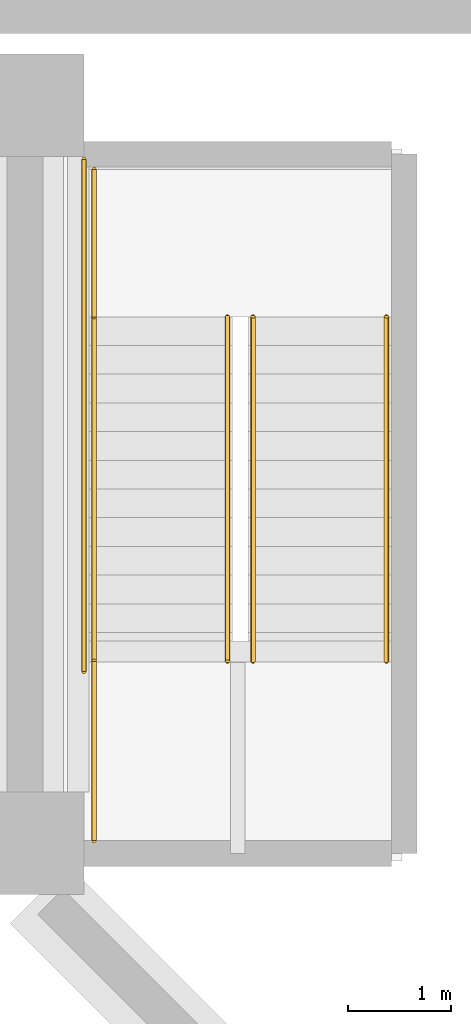
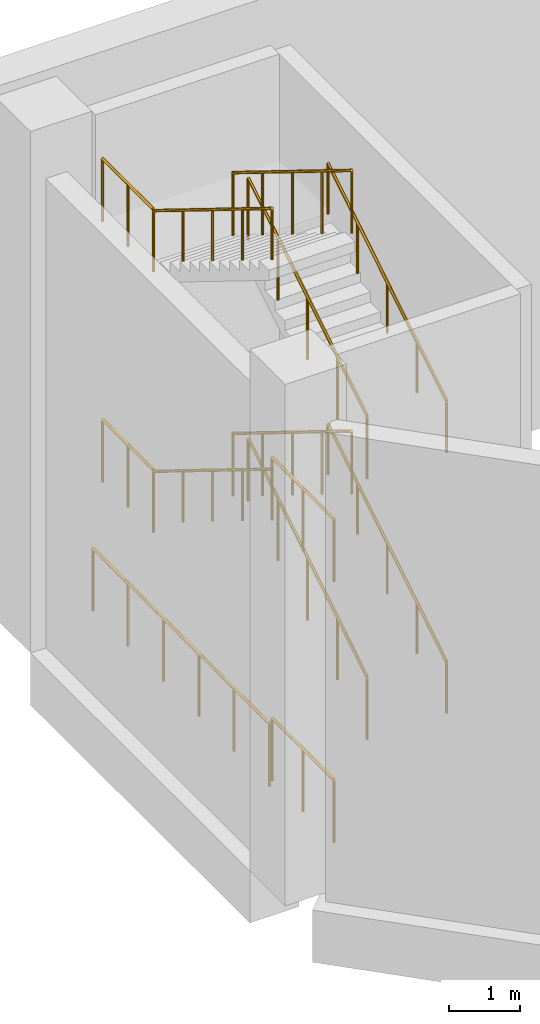
# One storey, part 19 of 23: 13 railings.
"""IFC4 building model written with IfcOpenShell, lengths in metres."""

from ifc_helpers import new_model, si_unit, direction, frame, origin, origin_2d, place, context, subcontext, project, spatial, circle, extrude, material, type_object, element, save


model = new_model("IFC4")

# Units and contexts
model_context = context("Model", 3, precision=1e-05, world=origin(), true_north=direction((0.0, 1.0)))
body_context = subcontext(model_context, "Body", "Model", "MODEL_VIEW")
ifc_project = project(units=[si_unit("LENGTHUNIT", "METRE"), si_unit("AREAUNIT", "SQUARE_METRE"), si_unit("VOLUMEUNIT", "CUBIC_METRE"), si_unit("PLANEANGLEUNIT", "RADIAN"), si_unit("MASSUNIT", "GRAM", prefix="KILO")], contexts=[model_context])

# Site, building, storey
site_placement = place(None, origin())
site = spatial("IfcSite", under=ifc_project, at=site_placement, CompositionType="ELEMENT")
building_placement = place(site_placement, origin())
building = spatial("IfcBuilding", under=site, at=building_placement, Name="Isthmus Gate Tower", CompositionType="ELEMENT")
storey_placement = place(building_placement, frame((0.0, 0.0, 9.0)))
storey = spatial("IfcBuildingStorey", under=building, at=storey_placement, Name="L01", CompositionType="ELEMENT", Elevation=9.0)

# Railings
ifc_material_1 = material(Name="Painted steel balusters with timber handrail", Category="steel")
railing_type_1 = type_object("IfcRailingType", Name="Podium stair guard 1100", PredefinedType="GUARDRAIL", material=ifc_material_1)
railing_1_placement = place(storey_placement, frame((-49.35009765625, -32.72509765625, 0.173095703125)))
element("IfcRailing", 1, at=railing_1_placement, inside=storey, type_object=railing_type_1, Name="L01 ST3 stair guard 1", PredefinedType="GUARDRAIL", context=body_context, shape_type="SweptSolid", body=[
    extrude(circle(Radius=0.02392578125, at=origin_2d()), frame((0.0, 0.0, 1.076171875), z_axis=(0.0, 0.850623216509, 0.525775754039), x_axis=(-1.0, 0.0, 0.0)), (0.0, 0.0, 1.0), 3.9501953125),
    extrude(circle(Radius=0.02099609375, at=origin_2d()), origin(), (0.0, 0.0, 1.0), 1.052001953125),
    extrude(circle(Radius=0.02099609375, at=origin_2d()), frame((0.0, 0.840087890625, 0.519287109375)), (0.0, 0.0, 1.0), 1.052001953125),
    extrude(circle(Radius=0.02099609375, at=origin_2d()), frame((0.0, 1.68017578125, 1.03857421875)), (0.0, 0.0, 1.0), 1.052001953125),
    extrude(circle(Radius=0.02099609375, at=origin_2d()), frame((0.0, 2.52001953125, 1.5576171875)), (0.0, 0.0, 1.0), 1.052001953125),
    extrude(circle(Radius=0.02099609375, at=origin_2d()), frame((0.0, 3.360107421875, 2.076904296875)), (0.0, 0.0, 1.0), 1.052001953125),
])
railing_2_placement = place(storey_placement, frame((-50.89990234375, -29.364990234375, 2.25)))
element("IfcRailing", 2, at=railing_2_placement, inside=storey, type_object=railing_type_1, Name="L01 ST3 stair guard 2", PredefinedType="GUARDRAIL", context=body_context, shape_type="SweptSolid", body=[
    extrude(circle(Radius=0.02392578125, at=origin_2d()), frame((0.0, 0.0, 1.076171875), z_axis=(0.0, 1.0, 0.0), x_axis=(-1.0, 0.0, 0.0)), (0.0, 0.0, 1.0), 1.43603515625),
    extrude(circle(Radius=0.02099609375, at=origin_2d()), origin(), (0.0, 0.0, 1.0), 1.052001953125),
    extrude(circle(Radius=0.02099609375, at=origin_2d()), frame((0.0, 0.718017578125, 0.0)), (0.0, 0.0, 1.0), 1.052001953125),
    extrude(circle(Radius=0.02099609375, at=origin_2d()), frame((0.0, 1.43603515625, 0.0)), (0.0, 0.0, 1.0), 1.052001953125),
])
railing_3_placement = place(storey_placement, frame((-49.60009765625, -29.364990234375, 2.423095703125)))
element("IfcRailing", 3, at=railing_3_placement, inside=storey, type_object=railing_type_1, Name="L01 ST3 stair guard 3", PredefinedType="GUARDRAIL", context=body_context, shape_type="SweptSolid", body=[
    extrude(circle(Radius=0.02392578125, at=origin_2d()), frame((0.0, 0.0, 1.076171875), z_axis=(0.0, -0.850623216509, 0.525775754039), x_axis=(1.0, 0.0, 0.0)), (0.0, 0.0, 1.0), 3.9501953125),
    extrude(circle(Radius=0.02099609375, at=origin_2d()), origin(), (0.0, 0.0, 1.0), 1.052001953125),
    extrude(circle(Radius=0.02099609375, at=origin_2d()), frame((0.0, -0.840087890625, 0.519287109375)), (0.0, 0.0, 1.0), 1.052001953125),
    extrude(circle(Radius=0.02099609375, at=origin_2d()), frame((0.0, -1.68017578125, 1.03857421875)), (0.0, 0.0, 1.0), 1.052001953125),
    extrude(circle(Radius=0.02099609375, at=origin_2d()), frame((0.0, -2.52001953125, 1.5576171875)), (0.0, 0.0, 1.0), 1.052001953125),
    extrude(circle(Radius=0.02099609375, at=origin_2d()), frame((0.0, -3.360107421875, 2.076904296875)), (0.0, 0.0, 1.0), 1.052001953125),
])
railing_4_placement = place(storey_placement, frame((-50.89990234375, -34.47509765625, 4.5)))
element("IfcRailing", 4, at=railing_4_placement, inside=storey, type_object=railing_type_1, Name="L01 ST3 stair guard 4", PredefinedType="GUARDRAIL", context=body_context, shape_type="SweptSolid", body=[
    extrude(circle(Radius=0.02392578125, at=origin_2d()), frame((0.0, 0.0, 1.076171875), z_axis=(0.0, 1.0, 0.0), x_axis=(-1.0, 0.0, 0.0)), (0.0, 0.0, 1.0), 1.75),
    extrude(circle(Radius=0.02099609375, at=origin_2d()), origin(), (0.0, 0.0, 1.0), 1.052001953125),
    extrude(circle(Radius=0.02099609375, at=origin_2d()), frame((0.0, 0.875, 0.0)), (0.0, 0.0, 1.0), 1.052001953125),
    extrude(circle(Radius=0.02099609375, at=origin_2d()), frame((0.0, 1.75, 0.0)), (0.0, 0.0, 1.0), 1.052001953125),
])
railing_5_placement = place(storey_placement, frame((-49.35009765625, -32.72509765625, 4.673095703125)))
element("IfcRailing", 5, at=railing_5_placement, inside=storey, type_object=railing_type_1, Name="L01 ST3 stair guard 5", PredefinedType="GUARDRAIL", context=body_context, shape_type="SweptSolid", body=[
    extrude(circle(Radius=0.02392578125, at=origin_2d()), frame((0.0, 0.0, 1.076171875), z_axis=(0.0, 0.850623216509, 0.525775754039), x_axis=(-1.0, 0.0, 0.0)), (0.0, 0.0, 1.0), 3.9501953125),
    extrude(circle(Radius=0.02099609375, at=origin_2d()), origin(), (0.0, 0.0, 1.0), 1.052001953125),
    extrude(circle(Radius=0.02099609375, at=origin_2d()), frame((0.0, 0.840087890625, 0.519287109375)), (0.0, 0.0, 1.0), 1.052001953125),
    extrude(circle(Radius=0.02099609375, at=origin_2d()), frame((0.0, 1.68017578125, 1.03857421875)), (0.0, 0.0, 1.0), 1.052001953125),
    extrude(circle(Radius=0.02099609375, at=origin_2d()), frame((0.0, 2.52001953125, 1.5576171875)), (0.0, 0.0, 1.0), 1.052001953125),
    extrude(circle(Radius=0.02099609375, at=origin_2d()), frame((0.0, 3.360107421875, 2.076904296875)), (0.0, 0.0, 1.0), 1.052001953125),
])
railing_6_placement = place(storey_placement, frame((-50.89990234375, -29.364990234375, 6.75)))
element("IfcRailing", 6, at=railing_6_placement, inside=storey, type_object=railing_type_1, Name="L01 ST3 stair guard 6", PredefinedType="GUARDRAIL", context=body_context, shape_type="SweptSolid", body=[
    extrude(circle(Radius=0.02392578125, at=origin_2d()), frame((0.0, 0.0, 1.076171875), z_axis=(0.0, 1.0, 0.0), x_axis=(-1.0, 0.0, 0.0)), (0.0, 0.0, 1.0), 1.43603515625),
    extrude(circle(Radius=0.02099609375, at=origin_2d()), origin(), (0.0, 0.0, 1.0), 1.052001953125),
    extrude(circle(Radius=0.02099609375, at=origin_2d()), frame((0.0, 0.718017578125, 0.0)), (0.0, 0.0, 1.0), 1.052001953125),
    extrude(circle(Radius=0.02099609375, at=origin_2d()), frame((0.0, 1.43603515625, 0.0)), (0.0, 0.0, 1.0), 1.052001953125),
])
railing_7_placement = place(storey_placement, frame((-49.60009765625, -29.364990234375, 6.923095703125)))
element("IfcRailing", 7, at=railing_7_placement, inside=storey, type_object=railing_type_1, Name="L01 ST3 stair guard 7", PredefinedType="GUARDRAIL", context=body_context, shape_type="SweptSolid", body=[
    extrude(circle(Radius=0.02392578125, at=origin_2d()), frame((0.0, 0.0, 1.076171875), z_axis=(0.0, -0.850623216509, 0.525775754039), x_axis=(1.0, 0.0, 0.0)), (0.0, 0.0, 1.0), 3.9501953125),
    extrude(circle(Radius=0.02099609375, at=origin_2d()), origin(), (0.0, 0.0, 1.0), 1.052001953125),
    extrude(circle(Radius=0.02099609375, at=origin_2d()), frame((0.0, -0.840087890625, 0.519287109375)), (0.0, 0.0, 1.0), 1.052001953125),
    extrude(circle(Radius=0.02099609375, at=origin_2d()), frame((0.0, -1.68017578125, 1.03857421875)), (0.0, 0.0, 1.0), 1.052001953125),
    extrude(circle(Radius=0.02099609375, at=origin_2d()), frame((0.0, -2.52001953125, 1.5576171875)), (0.0, 0.0, 1.0), 1.052001953125),
    extrude(circle(Radius=0.02099609375, at=origin_2d()), frame((0.0, -3.360107421875, 2.076904296875)), (0.0, 0.0, 1.0), 1.052001953125),
])
railing_8_placement = place(storey_placement, frame((-50.89990234375, -34.47509765625, 0.0)))
element("IfcRailing", 8, at=railing_8_placement, inside=storey, type_object=railing_type_1, Name="L01 ST3 stair guard 8", PredefinedType="GUARDRAIL", context=body_context, shape_type="SweptSolid", body=[
    extrude(circle(Radius=0.02392578125, at=origin_2d()), frame((0.0, 0.0, 1.076171875), z_axis=(0.0, 1.0, 0.0), x_axis=(-1.0, 0.0, 0.0)), (0.0, 0.0, 1.0), 1.75),
    extrude(circle(Radius=0.02099609375, at=origin_2d()), origin(), (0.0, 0.0, 1.0), 1.052001953125),
    extrude(circle(Radius=0.02099609375, at=origin_2d()), frame((0.0, 0.875, 0.0)), (0.0, 0.0, 1.0), 1.052001953125),
    extrude(circle(Radius=0.02099609375, at=origin_2d()), frame((0.0, 1.75, 0.0)), (0.0, 0.0, 1.0), 1.052001953125),
])
railing_9_placement = place(storey_placement, frame((-51.0, -32.824951171875, 0.0)))
element("IfcRailing", 9, at=railing_9_placement, inside=storey, type_object=railing_type_1, Name="L01 ST3 stair guard 9", PredefinedType="GUARDRAIL", context=body_context, shape_type="SweptSolid", body=[
    extrude(circle(Radius=0.02392578125, at=origin_2d()), frame((0.0, 0.0, 1.076171875), z_axis=(0.0, 1.0, 0.0), x_axis=(-1.0, 0.0, 0.0)), (0.0, 0.0, 1.0), 4.995849609375),
    extrude(circle(Radius=0.02099609375, at=origin_2d()), origin(), (0.0, 0.0, 1.0), 1.052001953125),
    extrude(circle(Radius=0.02099609375, at=origin_2d()), frame((0.0, 0.999267578125, 0.0)), (0.0, 0.0, 1.0), 1.052001953125),
    extrude(circle(Radius=0.02099609375, at=origin_2d()), frame((0.0, 1.998291015625, 0.0)), (0.0, 0.0, 1.0), 1.052001953125),
    extrude(circle(Radius=0.02099609375, at=origin_2d()), frame((0.0, 2.99755859375, 0.0)), (0.0, 0.0, 1.0), 1.052001953125),
    extrude(circle(Radius=0.02099609375, at=origin_2d()), frame((0.0, 3.99658203125, 0.0)), (0.0, 0.0, 1.0), 1.052001953125),
    extrude(circle(Radius=0.02099609375, at=origin_2d()), frame((0.0, 4.995849609375, 0.0)), (0.0, 0.0, 1.0), 1.052001953125),
])
ifc_material_2 = material(Name="Stainless steel tube", Category="steel")
railing_type_2 = type_object("IfcRailingType", Name="Podium stair handrail 900", PredefinedType="HANDRAIL", material=ifc_material_2)
railing_10_placement = place(storey_placement, frame((-48.050048828125, -32.72509765625, 0.173095703125)))
element("IfcRailing", 10, at=railing_10_placement, inside=storey, type_object=railing_type_2, Name="L01 ST3 stair handrail 1", PredefinedType="HANDRAIL", context=body_context, shape_type="SweptSolid", body=[
    extrude(circle(Radius=0.02392578125, at=origin_2d()), frame((0.0, 0.0, 0.8759765625), z_axis=(0.0, 0.850623216509, 0.525775754039), x_axis=(-1.0, 0.0, 0.0)), (0.0, 0.0, 1.0), 3.9501953125),
    extrude(circle(Radius=0.02099609375, at=origin_2d()), origin(), (0.0, 0.0, 1.0), 0.851806640625),
    extrude(circle(Radius=0.02099609375, at=origin_2d()), frame((0.0, 0.840087890625, 0.519287109375)), (0.0, 0.0, 1.0), 0.851806640625),
    extrude(circle(Radius=0.02099609375, at=origin_2d()), frame((0.0, 1.68017578125, 1.03857421875)), (0.0, 0.0, 1.0), 0.851806640625),
    extrude(circle(Radius=0.02099609375, at=origin_2d()), frame((0.0, 2.52001953125, 1.5576171875)), (0.0, 0.0, 1.0), 0.851806640625),
    extrude(circle(Radius=0.02099609375, at=origin_2d()), frame((0.0, 3.360107421875, 2.076904296875)), (0.0, 0.0, 1.0), 0.851806640625),
])
railing_11_placement = place(storey_placement, frame((-50.89990234375, -29.364990234375, 2.423095703125)))
element("IfcRailing", 11, at=railing_11_placement, inside=storey, type_object=railing_type_2, Name="L01 ST3 stair handrail 2", PredefinedType="HANDRAIL", context=body_context, shape_type="SweptSolid", body=[
    extrude(circle(Radius=0.02392578125, at=origin_2d()), frame((0.0, 0.0, 0.8759765625), z_axis=(0.0, -0.850623216509, 0.525775754039), x_axis=(1.0, 0.0, 0.0)), (0.0, 0.0, 1.0), 3.9501953125),
    extrude(circle(Radius=0.02099609375, at=origin_2d()), origin(), (0.0, 0.0, 1.0), 0.851806640625),
    extrude(circle(Radius=0.02099609375, at=origin_2d()), frame((0.0, -0.840087890625, 0.519287109375)), (0.0, 0.0, 1.0), 0.851806640625),
    extrude(circle(Radius=0.02099609375, at=origin_2d()), frame((0.0, -1.68017578125, 1.03857421875)), (0.0, 0.0, 1.0), 0.851806640625),
    extrude(circle(Radius=0.02099609375, at=origin_2d()), frame((0.0, -2.52001953125, 1.5576171875)), (0.0, 0.0, 1.0), 0.851806640625),
    extrude(circle(Radius=0.02099609375, at=origin_2d()), frame((0.0, -3.360107421875, 2.076904296875)), (0.0, 0.0, 1.0), 0.851806640625),
])
railing_12_placement = place(storey_placement, frame((-48.050048828125, -32.72509765625, 4.673095703125)))
element("IfcRailing", 12, at=railing_12_placement, inside=storey, type_object=railing_type_2, Name="L01 ST3 stair handrail 3", PredefinedType="HANDRAIL", context=body_context, shape_type="SweptSolid", body=[
    extrude(circle(Radius=0.02392578125, at=origin_2d()), frame((0.0, 0.0, 0.8759765625), z_axis=(0.0, 0.850623216509, 0.525775754039), x_axis=(-1.0, 0.0, 0.0)), (0.0, 0.0, 1.0), 3.9501953125),
    extrude(circle(Radius=0.02099609375, at=origin_2d()), origin(), (0.0, 0.0, 1.0), 0.851806640625),
    extrude(circle(Radius=0.02099609375, at=origin_2d()), frame((0.0, 0.840087890625, 0.519287109375)), (0.0, 0.0, 1.0), 0.851806640625),
    extrude(circle(Radius=0.02099609375, at=origin_2d()), frame((0.0, 1.68017578125, 1.03857421875)), (0.0, 0.0, 1.0), 0.851806640625),
    extrude(circle(Radius=0.02099609375, at=origin_2d()), frame((0.0, 2.52001953125, 1.5576171875)), (0.0, 0.0, 1.0), 0.851806640625),
    extrude(circle(Radius=0.02099609375, at=origin_2d()), frame((0.0, 3.360107421875, 2.076904296875)), (0.0, 0.0, 1.0), 0.851806640625),
])
railing_13_placement = place(storey_placement, frame((-50.89990234375, -29.364990234375, 6.923095703125)))
element("IfcRailing", 13, at=railing_13_placement, inside=storey, type_object=railing_type_2, Name="L01 ST3 stair handrail 4", PredefinedType="HANDRAIL", context=body_context, shape_type="SweptSolid", body=[
    extrude(circle(Radius=0.02392578125, at=origin_2d()), frame((0.0, 0.0, 0.8759765625), z_axis=(0.0, -0.850623216509, 0.525775754039), x_axis=(1.0, 0.0, 0.0)), (0.0, 0.0, 1.0), 3.9501953125),
    extrude(circle(Radius=0.02099609375, at=origin_2d()), origin(), (0.0, 0.0, 1.0), 0.851806640625),
    extrude(circle(Radius=0.02099609375, at=origin_2d()), frame((0.0, -0.840087890625, 0.519287109375)), (0.0, 0.0, 1.0), 0.851806640625),
    extrude(circle(Radius=0.02099609375, at=origin_2d()), frame((0.0, -1.68017578125, 1.03857421875)), (0.0, 0.0, 1.0), 0.851806640625),
    extrude(circle(Radius=0.02099609375, at=origin_2d()), frame((0.0, -2.52001953125, 1.5576171875)), (0.0, 0.0, 1.0), 0.851806640625),
    extrude(circle(Radius=0.02099609375, at=origin_2d()), frame((0.0, -3.360107421875, 2.076904296875)), (0.0, 0.0, 1.0), 0.851806640625),
])

save(model, "model.ifc")
